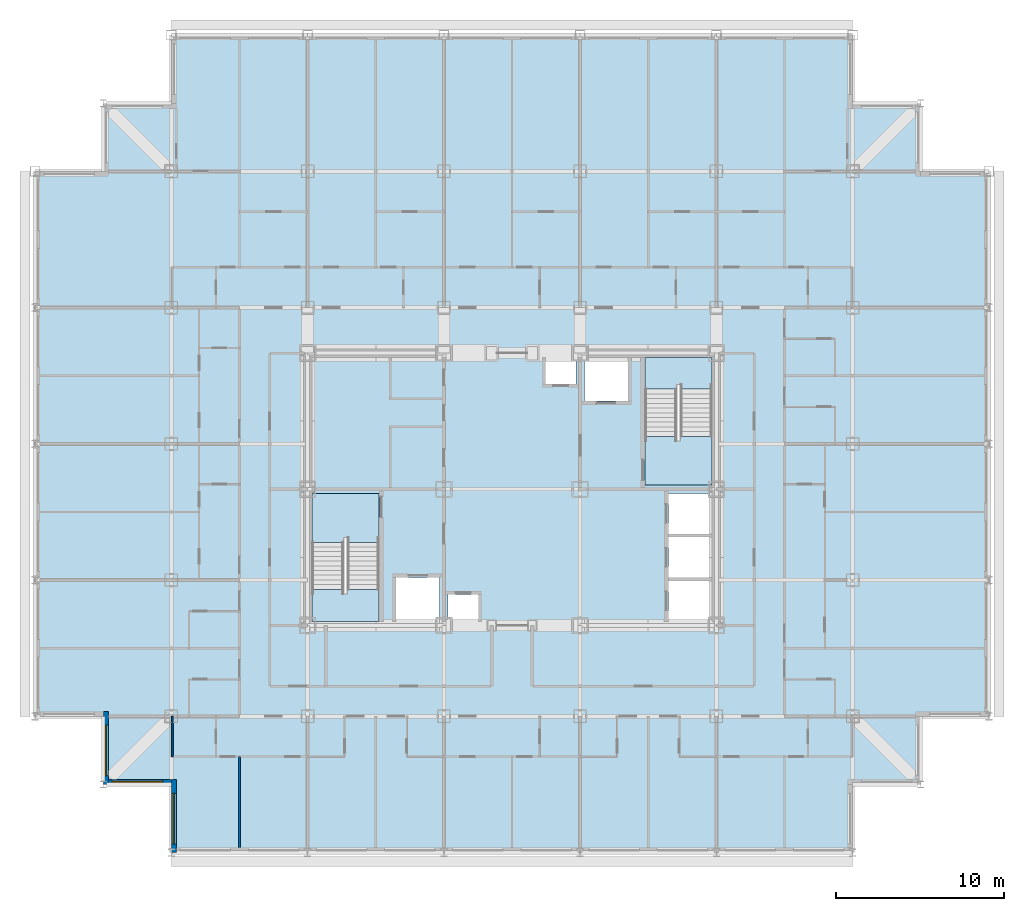
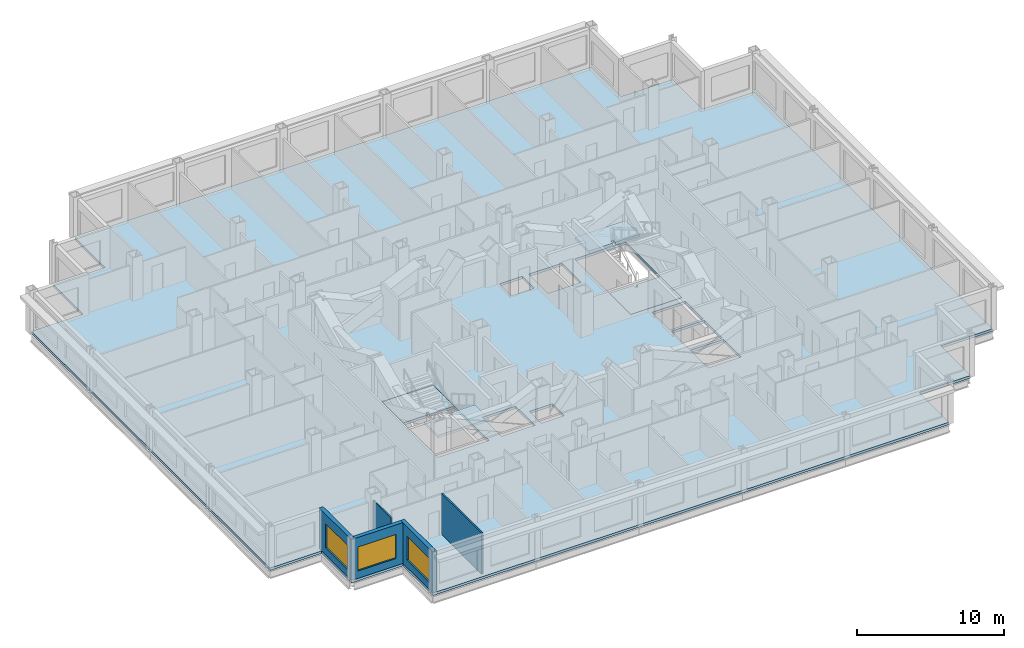
# One storey, part 3 of 12: 5 slabs, 5 walls, 3 windows, 3 openings, 2 elements without a shape of their own.
"""IFC4 building model written with IfcOpenShell, lengths in metres."""

from ifc_helpers import new_model, si_unit, direction, frame, frame_2d, origin, place, context, subcontext, project, spatial, polyline, rectangle, outline, extrude, material, layer, layer_set, type_object, element, fill, aggregate, save


model = new_model("IFC4")

# Units and contexts
model_context = context("Model", 3, precision=1e-05, world=origin(), true_north=direction((0.0, 1.0)))
body_context = subcontext(model_context, "Body", "Model", "MODEL_VIEW")
ifc_project = project(units=[si_unit("LENGTHUNIT", "METRE"), si_unit("AREAUNIT", "SQUARE_METRE"), si_unit("VOLUMEUNIT", "CUBIC_METRE"), si_unit("PLANEANGLEUNIT", "RADIAN"), si_unit("MASSUNIT", "GRAM", prefix="KILO")], contexts=[model_context])

# Site, building, storey
site_placement = place(None, origin())
site = spatial("IfcSite", under=ifc_project, at=site_placement, CompositionType="ELEMENT")
building_placement = place(site_placement, origin())
building = spatial("IfcBuilding", under=site, at=building_placement, Name="Kopane Lantern Tower", CompositionType="ELEMENT")
storey_placement = place(building_placement, frame((0.0, 0.0, 177.60009765625)))
storey = spatial("IfcBuildingStorey", under=building, at=storey_placement, Name="L45", CompositionType="ELEMENT", Elevation=177.60009765625)

# Slab
ifc_material_1 = material(Name="Concrete C40/50", Category="concrete")
ifc_layer_1 = layer(ifc_material_1, 0.2099609375)
ifc_layer_set_1 = layer_set([ifc_layer_1], Name="SLAB 210 COMPOSITE")
slab_type_1 = type_object("IfcSlabType", Name="SLAB 210 COMPOSITE", PredefinedType="FLOOR", material=ifc_layer_set_1)
slab_1_placement = place(storey_placement, frame((0.0, 0.0, -0.210205078125)))
element("IfcSlab", 1, at=slab_1_placement, inside=storey, type_object=slab_type_1, Name="Floor slab L45", PredefinedType="FLOOR", context=body_context, shape_type="SweptSolid", body=[
    extrude(outline(polyline([(8.10009765625, 10.800048828125), (48.60009765625, 10.800048828125), (48.60009765625, 14.85009765625), (52.64990234375, 14.85009765625), (52.64990234375, 18.89990234375), (56.699951171875, 18.89990234375), (56.699951171875, 51.300048828125), (52.64990234375, 51.300048828125), (52.64990234375, 55.35009765625), (48.60009765625, 55.35009765625), (48.60009765625, 59.39990234375), (8.10009765625, 59.39990234375), (8.10009765625, 55.35009765625), (4.050048828125, 55.35009765625), (4.050048828125, 51.300048828125), (0.0, 51.300048828125), (0.0, 18.89990234375), (4.050048828125, 18.89990234375), (4.050048828125, 14.85009765625), (8.10009765625, 14.85009765625), (8.10009765625, 10.800048828125)]), holes=[polyline([(16.449951171875, 24.550048828125), (20.449951171875, 24.550048828125), (20.449951171875, 32.14990234375), (16.449951171875, 32.14990234375), (16.449951171875, 24.550048828125)]), polyline([(36.25, 32.64990234375), (40.25, 32.64990234375), (40.25, 40.25), (36.25, 40.25), (36.25, 32.64990234375)]), polyline([(37.64990234375, 24.550048828125), (40.25, 24.550048828125), (40.25, 26.949951171875), (37.64990234375, 26.949951171875), (37.64990234375, 24.550048828125)]), polyline([(37.64990234375, 27.14990234375), (40.25, 27.14990234375), (40.25, 29.550048828125), (37.64990234375, 29.550048828125), (37.64990234375, 27.14990234375)]), polyline([(37.64990234375, 29.75), (40.25, 29.75), (40.25, 32.14990234375), (37.64990234375, 32.14990234375), (37.64990234375, 29.75)]), polyline([(21.449951171875, 24.550048828125), (24.050048828125, 24.550048828125), (24.050048828125, 27.14990234375), (21.449951171875, 27.14990234375), (21.449951171875, 24.550048828125)]), polyline([(32.64990234375, 37.64990234375), (35.25, 37.64990234375), (35.25, 40.25), (32.64990234375, 40.25), (32.64990234375, 37.64990234375)]), polyline([(24.550048828125, 24.550048828125), (26.35009765625, 24.550048828125), (26.35009765625, 26.14990234375), (24.550048828125, 26.14990234375), (24.550048828125, 24.550048828125)]), polyline([(30.35009765625, 38.64990234375), (32.14990234375, 38.64990234375), (32.14990234375, 40.25), (30.35009765625, 40.25), (30.35009765625, 38.64990234375)])]), origin(), (0.0, 0.0, 1.0), 0.210205078125),
])

# Stair, slabs
ifc_material_2 = material(Name="Steel S355JR", Category="steel")
stair_type = type_object("IfcStairType", Name="EXIT STAIR 1900 HALF TURN", PredefinedType="HALF_TURN_STAIR", material=ifc_material_2)
stair_1_placement = place(storey_placement, origin())
stair_1 = element("IfcStair", 2, at=stair_1_placement, inside=storey, type_object=stair_type, Name="Exit stair ST1 L45", PredefinedType="HALF_TURN_STAIR")
ifc_material_3 = material(Name="Concrete C40/50", Category="concrete")
ifc_layer_2 = layer(ifc_material_3, 0.199951171875)
ifc_layer_set_2 = layer_set([ifc_layer_2], Name="STAIR LANDING 200")
slab_type_2 = type_object("IfcSlabType", Name="STAIR LANDING 200", PredefinedType="LANDING", material=ifc_layer_set_2)
slab_2_placement = place(storey_placement, frame((0.0, 0.0, -0.2001953125)))
slab_2 = element("IfcSlab", 3, at=slab_2_placement, type_object=slab_type_2, Name="ST1 landing 1", PredefinedType="LANDING", context=body_context, shape_type="SweptSolid", body=[
    extrude(outline(polyline([(18.35009765625, 29.530029296875), (18.550048828125, 29.530029296875), (18.550048828125, 29.25), (20.449951171875, 29.25), (20.449951171875, 32.14990234375), (16.449951171875, 32.14990234375), (16.449951171875, 29.25), (18.35009765625, 29.25), (18.35009765625, 29.530029296875)])), origin(), (0.0, 0.0, 1.0), 0.2001953125),
])
slab_3_placement = place(storey_placement, frame((0.0, 0.0, 1.599853515625)))
slab_3 = element("IfcSlab", 4, at=slab_3_placement, type_object=slab_type_2, Name="ST1 landing 2", PredefinedType="LANDING", context=body_context, shape_type="SweptSolid", body=[
    extrude(outline(polyline([(20.449951171875, 26.449951171875), (18.550048828125, 26.449951171875), (18.550048828125, 26.169921875), (18.35009765625, 26.169921875), (18.35009765625, 26.449951171875), (16.449951171875, 26.449951171875), (16.449951171875, 24.550048828125), (20.449951171875, 24.550048828125), (20.449951171875, 26.449951171875)])), origin(), (0.0, 0.0, 1.0), 0.199951171875),
])
aggregate(stair_1, [slab_2, slab_3])

stair_2_placement = place(storey_placement, origin())
stair_2 = element("IfcStair", 5, at=stair_2_placement, inside=storey, type_object=stair_type, Name="Exit stair ST2 L45", PredefinedType="HALF_TURN_STAIR")
slab_4_placement = place(storey_placement, frame((0.0, 0.0, -0.2001953125)))
slab_4 = element("IfcSlab", 6, at=slab_4_placement, type_object=slab_type_2, Name="ST2 landing 1", PredefinedType="LANDING", context=body_context, shape_type="SweptSolid", body=[
    extrude(outline(polyline([(40.25, 35.550048828125), (38.35009765625, 35.550048828125), (38.35009765625, 35.27001953125), (38.14990234375, 35.27001953125), (38.14990234375, 35.550048828125), (36.25, 35.550048828125), (36.25, 32.64990234375), (40.25, 32.64990234375), (40.25, 35.550048828125)])), origin(), (0.0, 0.0, 1.0), 0.2001953125),
])
slab_5_placement = place(storey_placement, frame((0.0, 0.0, 1.599853515625)))
slab_5 = element("IfcSlab", 7, at=slab_5_placement, type_object=slab_type_2, Name="ST2 landing 2", PredefinedType="LANDING", context=body_context, shape_type="SweptSolid", body=[
    extrude(outline(polyline([(38.14990234375, 38.6298828125), (38.35009765625, 38.6298828125), (38.35009765625, 38.35009765625), (40.25, 38.35009765625), (40.25, 40.25), (36.25, 40.25), (36.25, 38.35009765625), (38.14990234375, 38.35009765625), (38.14990234375, 38.6298828125)])), origin(), (0.0, 0.0, 1.0), 0.199951171875),
])
aggregate(stair_2, [slab_4, slab_5])

# Walls
ifc_material_4 = material(Name="Gypsum board on steel studs", Category="steel")
ifc_layer_3 = layer(ifc_material_4, 0.1201171875)
ifc_layer_set_3 = layer_set([ifc_layer_3], Name="APARTMENT INTERNAL WALL 120")
wall_type_1 = type_object("IfcWallType", Name="APARTMENT INTERNAL WALL 120", PredefinedType="PARTITIONING", material=ifc_layer_set_3)
wall_1_placement = place(storey_placement, frame((12.14990234375, 16.5, 0.0), z_axis=(0.0, 0.0, 1.0), x_axis=(0.0, -1.0, 0.0)))
element("IfcWall", 8, at=wall_1_placement, inside=storey, type_object=wall_type_1, Name="Apartment Internal Wall 120 L45", PredefinedType="PARTITIONING", context=body_context, shape_type="SweptSolid", body=[
    extrude(rectangle(XDim=5.39990234375, YDim=0.1201171875, at=frame_2d((2.699951171875, 0.0))), origin(), (0.0, 0.0, 1.0), 3.389892578125),
])
ifc_material_5 = material(Name="Moisture-resistant board on steel studs", Category="steel")
ifc_layer_4 = layer(ifc_material_5, 0.10009765625)
ifc_layer_set_4 = layer_set([ifc_layer_4], Name="BATHROOM WALL 100")
wall_type_2 = type_object("IfcWallType", Name="BATHROOM WALL 100", PredefinedType="PARTITIONING", material=ifc_layer_set_4)
wall_2_placement = place(storey_placement, frame((8.14990234375, 18.89990234375, 0.0), z_axis=(0.0, 0.0, 1.0), x_axis=(0.0, -1.0, 0.0)))
element("IfcWall", 9, at=wall_2_placement, inside=storey, type_object=wall_type_2, Name="Bathroom Wall 100 L45", PredefinedType="PARTITIONING", context=body_context, shape_type="SweptSolid", body=[
    extrude(rectangle(XDim=2.39990234375, YDim=0.10009765625, at=frame_2d((1.199951171875, 0.0))), origin(), (0.0, 0.0, 1.0), 2.777587890625),
])

# Wall, opening, window
ifc_material_6 = material(Name="Terracotta rainscreen on light steel framing", Category="masonry")
ifc_layer_5 = layer(ifc_material_6, 0.300048828125)
ifc_layer_set_5 = layer_set([ifc_layer_5], Name="EXTERNAL WALL EW1 300 TERRACOTTA")
wall_type_3 = type_object("IfcWallType", Name="EXTERNAL WALL EW1 300 TERRACOTTA", PredefinedType="SOLIDWALL", material=ifc_layer_set_5)
wall_3_placement = place(storey_placement, frame((4.199951171875, 19.199951171875, 0.0), z_axis=(0.0, 0.0, 1.0), x_axis=(0.0, -1.0, 0.0)))
wall_3 = element("IfcWall", 10, at=wall_3_placement, inside=storey, type_object=wall_type_3, Name="External wall W L45", PredefinedType="SOLIDWALL", context=body_context, shape_type="SweptSolid", body=[
    extrude(rectangle(XDim=4.349853515625, YDim=0.300048828125, at=frame_2d((2.1748046875, 0.0))), origin(), (0.0, 0.0, 1.0), 3.389892578125),
])
opening_1_placement = place(wall_3_placement, frame((0.824951171875, 0.0, 0.60009765625)))
opening_1 = element("IfcOpeningElement", 11, at=opening_1_placement, cuts=wall_3, Name="Opening WR300200", PredefinedType="OPENING", context=body_context, shape_type="SweptSolid", body=[
    extrude(rectangle(XDim=3.0, YDim=2.0, at=frame_2d((1.5, 1.0))), frame((0.0, 0.159912109375, 0.0), z_axis=(0.0, -1.0, 0.0), x_axis=(1.0, 0.0, 0.0)), (0.0, 0.0, 1.0), 0.320068359375),
])
ifc_material_7 = material(Name="Aluminium and clear glass", Category="aluminium")
window_type = type_object("IfcWindowType", Name="RIBBON WINDOW WR300200 3000x2000", PartitioningType="SINGLE_PANEL", PredefinedType="WINDOW", material=ifc_material_7)
window_1_placement = place(opening_1_placement, origin())
window_1 = element("IfcWindow", 12, at=window_1_placement, inside=storey, type_object=window_type, Name="Window W L45", OverallHeight=2.0, OverallWidth=3.0, PartitioningType="SINGLE_PANEL", PredefinedType="WINDOW", context=body_context, shape_type="SweptSolid", body=[
    extrude(rectangle(XDim=3.0, YDim=2.0, at=frame_2d((1.5, 1.0))), frame((0.0, 0.030029296875, 0.0), z_axis=(0.0, -1.0, 0.0), x_axis=(1.0, 0.0, 0.0)), (0.0, 0.0, 1.0), 0.06005859375),
])
fill(opening_1, window_1)

wall_4_placement = place(storey_placement, frame((4.35009765625, 15.0, 0.0), z_axis=(0.0, 0.0, 1.0), x_axis=(1.0, 0.0, 0.0)))
wall_4 = element("IfcWall", 13, at=wall_4_placement, inside=storey, type_object=wall_type_3, Name="External wall S L45", PredefinedType="SOLIDWALL", context=body_context, shape_type="SweptSolid", body=[
    extrude(rectangle(XDim=3.75, YDim=0.300048828125, at=frame_2d((1.875, 0.0))), origin(), (0.0, 0.0, 1.0), 3.389892578125),
])
opening_2_placement = place(wall_4_placement, frame((0.22509765625, 0.0, 0.60009765625)))
opening_2 = element("IfcOpeningElement", 14, at=opening_2_placement, cuts=wall_4, Name="Opening WR300200", PredefinedType="OPENING", context=body_context, shape_type="SweptSolid", body=[
    extrude(rectangle(XDim=3.0, YDim=2.0, at=frame_2d((1.5, 1.0))), frame((0.0, 0.159912109375, 0.0), z_axis=(0.0, -1.0, 0.0), x_axis=(1.0, 0.0, 0.0)), (0.0, 0.0, 1.0), 0.320068359375),
])
window_2_placement = place(opening_2_placement, origin())
window_2 = element("IfcWindow", 15, at=window_2_placement, inside=storey, type_object=window_type, Name="Window S L45", OverallHeight=2.0, OverallWidth=3.0, PartitioningType="SINGLE_PANEL", PredefinedType="WINDOW", context=body_context, shape_type="SweptSolid", body=[
    extrude(rectangle(XDim=3.0, YDim=2.0, at=frame_2d((1.5, 1.0))), frame((0.0, 0.030029296875, 0.0), z_axis=(0.0, -1.0, 0.0), x_axis=(1.0, 0.0, 0.0)), (0.0, 0.0, 1.0), 0.06005859375),
])
fill(opening_2, window_2)

wall_5_placement = place(storey_placement, frame((8.25, 15.14990234375, 0.0), z_axis=(0.0, 0.0, 1.0), x_axis=(0.0, -1.0, 0.0)))
wall_5 = element("IfcWall", 16, at=wall_5_placement, inside=storey, type_object=wall_type_3, Name="External wall W L45", PredefinedType="SOLIDWALL", context=body_context, shape_type="SweptSolid", body=[
    extrude(rectangle(XDim=4.349853515625, YDim=0.300048828125, at=frame_2d((2.1748046875, 0.0))), origin(), (0.0, 0.0, 1.0), 3.389892578125),
])
opening_3_placement = place(wall_5_placement, frame((0.824951171875, 0.0, 0.60009765625)))
opening_3 = element("IfcOpeningElement", 17, at=opening_3_placement, cuts=wall_5, Name="Opening WR300200", PredefinedType="OPENING", context=body_context, shape_type="SweptSolid", body=[
    extrude(rectangle(XDim=3.0, YDim=2.0, at=frame_2d((1.5, 1.0))), frame((0.0, 0.159912109375, 0.0), z_axis=(0.0, -1.0, 0.0), x_axis=(1.0, 0.0, 0.0)), (0.0, 0.0, 1.0), 0.320068359375),
])
window_3_placement = place(opening_3_placement, origin())
window_3 = element("IfcWindow", 18, at=window_3_placement, inside=storey, type_object=window_type, Name="Window W L45", OverallHeight=2.0, OverallWidth=3.0, PartitioningType="SINGLE_PANEL", PredefinedType="WINDOW", context=body_context, shape_type="SweptSolid", body=[
    extrude(rectangle(XDim=3.0, YDim=2.0, at=frame_2d((1.5, 1.0))), frame((0.0, 0.030029296875, 0.0), z_axis=(0.0, -1.0, 0.0), x_axis=(1.0, 0.0, 0.0)), (0.0, 0.0, 1.0), 0.06005859375),
])
fill(opening_3, window_3)

save(model, "model.ifc")
